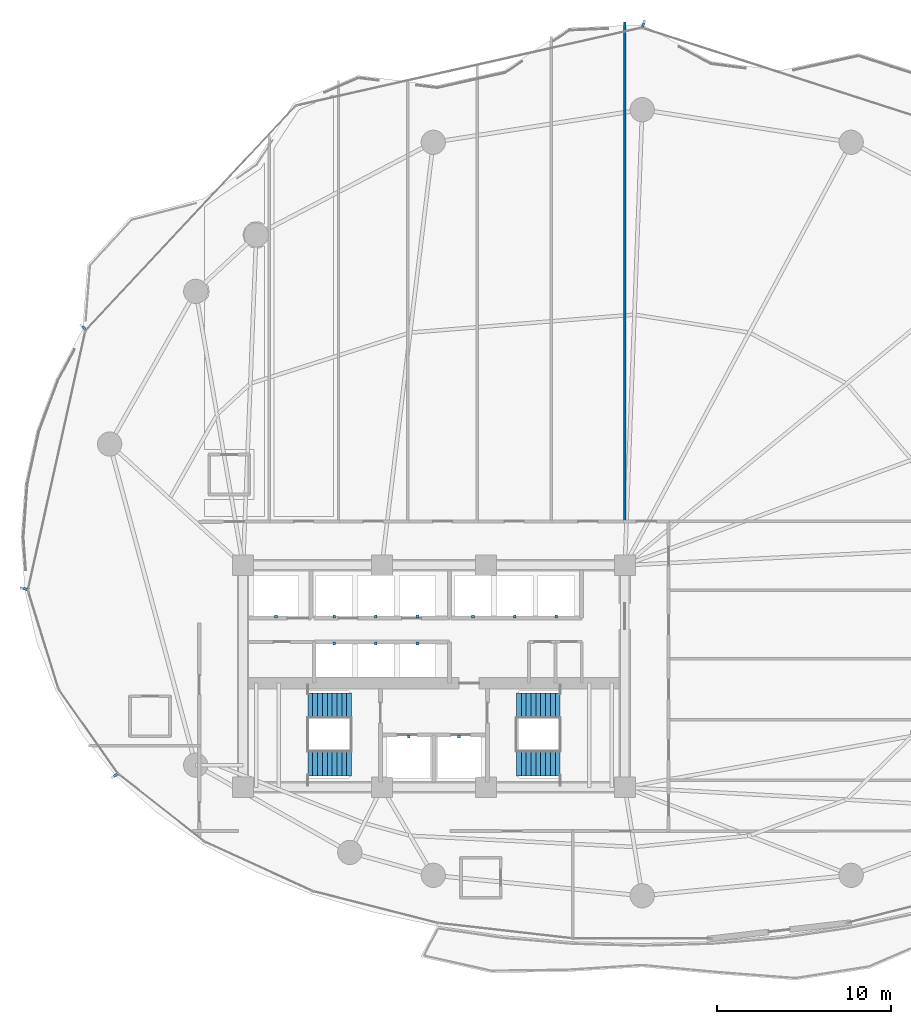
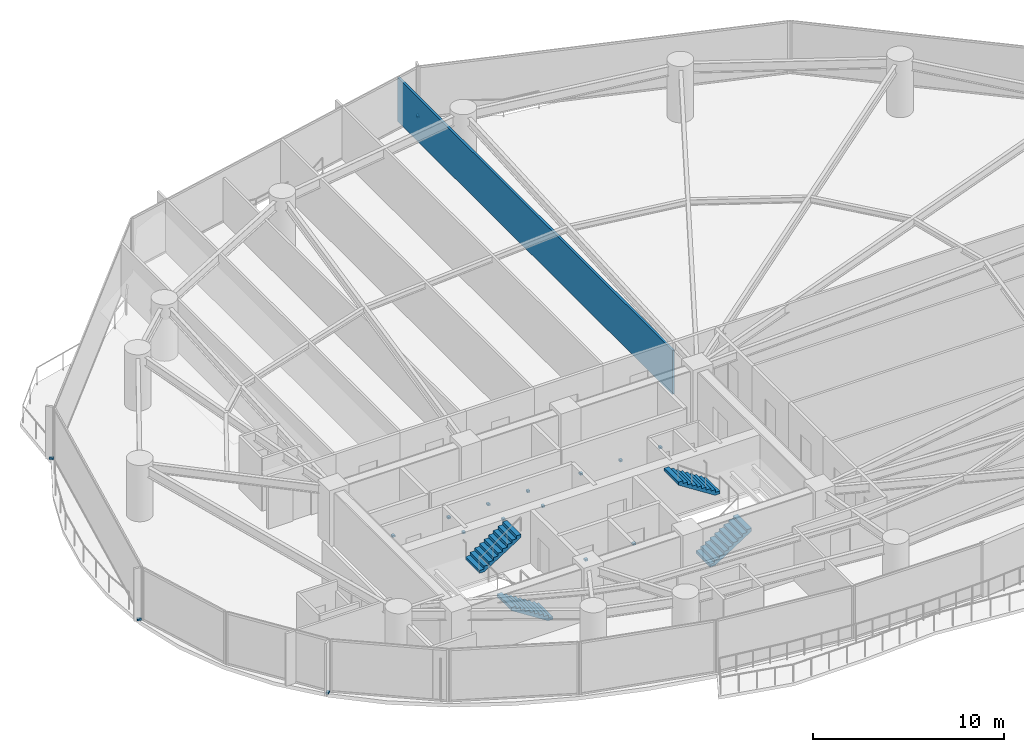
# One storey, part 28 of 33: 16 discrete accessories, 4 stair flights, 1 wall, 2 elements without a shape of their own.
"""IFC4 building model written with IfcOpenShell, lengths in metres."""

from ifc_helpers import new_model, si_unit, direction, frame, frame_2d, origin, origin_2d, place, context, subcontext, project, spatial, polyline, rectangle, outline, extrude, material, layer, layer_set, type_object, element, aggregate, save


model = new_model("IFC4")

# Units and contexts
model_context = context("Model", 3, precision=1e-05, world=origin(), true_north=direction((0.0, 1.0)))
body_context = subcontext(model_context, "Body", "Model", "MODEL_VIEW")
ifc_project = project(units=[si_unit("LENGTHUNIT", "METRE"), si_unit("AREAUNIT", "SQUARE_METRE"), si_unit("VOLUMEUNIT", "CUBIC_METRE"), si_unit("PLANEANGLEUNIT", "RADIAN"), si_unit("MASSUNIT", "GRAM", prefix="KILO")], contexts=[model_context])

# Site, building, storey
site_placement = place(None, origin())
site = spatial("IfcSite", under=ifc_project, at=site_placement, CompositionType="ELEMENT")
building_placement = place(site_placement, origin())
building = spatial("IfcBuilding", under=site, at=building_placement, Name="Kazevale Care Tower and Concert Hall", CompositionType="ELEMENT")
storey_placement = place(building_placement, frame((0.0, 0.0, 27.60009765625)))
storey = spatial("IfcBuildingStorey", under=building, at=storey_placement, Name="L06", CompositionType="ELEMENT", Elevation=27.60009765625)

# Wall
ifc_material_1 = material(Name="Acoustic Gypsum on Steel Stud", Category="steel")
ifc_layer_1 = layer(ifc_material_1, 0.139892578125)
ifc_layer_set_1 = layer_set([ifc_layer_1], Name="Acoustic Gypsum on Steel Stud")
wall_type = type_object("IfcWallType", Name="Acoustic Care & Suite Partition 140", PredefinedType="PARTITIONING", material=ifc_layer_set_1)
wall_placement = place(storey_placement, frame((44.0, 67.7060546875, 0.0), z_axis=(0.0, 0.0, 1.0), x_axis=(0.0, -1.0, 0.0)))
element("IfcWall", 1, at=wall_placement, inside=storey, type_object=wall_type, Name="wall:L06:auto_023", PredefinedType="PARTITIONING", context=body_context, shape_type="SweptSolid", body=[
    extrude(rectangle(XDim=28.81103515625, YDim=0.139892578125, at=frame_2d((14.405517578125, 0.0))), origin(), (0.0, 0.0, 1.0), 2.805908203125),
])

# Stair, stair flights
ifc_material_2 = material(Name="Concrete C40", Category="concrete")
stair_type = type_object("IfcStairType", Name="Exit Stair Assembly ST1-Z1", PredefinedType="HALF_TURN_STAIR", material=ifc_material_2)
stair_1_placement = place(storey_placement, origin())
stair_1 = element("IfcStair", 2, at=stair_1_placement, inside=storey, type_object=stair_type, Name="stair:L06:ST1", PredefinedType="HALF_TURN_STAIR")
ifc_layer_2 = layer(ifc_material_2, 0.159912109375)
ifc_layer_set_2 = layer_set([ifc_layer_2], Name="Concrete C40")
stair_flight_type = type_object("IfcStairFlightType", Name="Exit Stair Flight ST1-Z1", PredefinedType="STRAIGHT", material=ifc_layer_set_2)
stair_flight_1_placement = place(storey_placement, frame((28.25, 24.989990234375, 0.0), z_axis=(0.0, 0.0, 1.0), x_axis=(-1.0, 0.0, 0.0)))
stair_flight_1 = element("IfcStairFlight", 3, at=stair_flight_1_placement, type_object=stair_flight_type, Name="ST1-Z1 flight 1", NumberOfRisers=10, NumberOfTreads=9, PredefinedType="STRAIGHT", RiserHeight=0.18, TreadLength=0.28, context=body_context, shape_type="SweptSolid", body=[
    extrude(outline(polyline([(0.0, 0.0), (0.0, 0.179931640625), (0.280029296875, 0.179931640625), (0.280029296875, 0.360107421875), (0.56005859375, 0.360107421875), (0.56005859375, 0.5400390625), (0.840087890625, 0.5400390625), (0.840087890625, 0.719970703125), (1.1201171875, 0.719970703125), (1.1201171875, 0.89990234375), (1.39990234375, 0.89990234375), (1.39990234375, 1.080078125), (1.679931640625, 1.080078125), (1.679931640625, 1.260009765625), (1.9599609375, 1.260009765625), (1.9599609375, 1.43994140625), (2.239990234375, 1.43994140625), (2.239990234375, 1.6201171875), (2.52001953125, 1.6201171875), (2.52001953125, 1.800048828125), (2.52001953125, 1.429931640625), (0.295654296875, 0.0), (0.0, 0.0)])), frame((0.0, 0.739990234375, 0.0), z_axis=(0.0, -1.0, 0.0), x_axis=(1.0, 0.0, 0.0)), (0.0, 0.0, 1.0), 1.47998046875),
])
stair_flight_2_placement = place(storey_placement, frame((25.72998046875, 28.31005859375, 1.7998046875), z_axis=(0.0, 0.0, 1.0), x_axis=(1.0, 0.0, 0.0)))
stair_flight_2 = element("IfcStairFlight", 4, at=stair_flight_2_placement, type_object=stair_flight_type, Name="ST1-Z1 flight 2", NumberOfRisers=10, NumberOfTreads=9, PredefinedType="STRAIGHT", RiserHeight=0.18, TreadLength=0.28, context=body_context, shape_type="SweptSolid", body=[
    extrude(outline(polyline([(0.0, 0.0), (0.0, 0.179931640625), (0.280029296875, 0.179931640625), (0.280029296875, 0.360107421875), (0.56005859375, 0.360107421875), (0.56005859375, 0.5400390625), (0.840087890625, 0.5400390625), (0.840087890625, 0.719970703125), (1.1201171875, 0.719970703125), (1.1201171875, 0.89990234375), (1.39990234375, 0.89990234375), (1.39990234375, 1.080078125), (1.679931640625, 1.080078125), (1.679931640625, 1.260009765625), (1.9599609375, 1.260009765625), (1.9599609375, 1.43994140625), (2.239990234375, 1.43994140625), (2.239990234375, 1.6201171875), (2.52001953125, 1.6201171875), (2.52001953125, 1.800048828125), (2.52001953125, 1.429931640625), (0.295654296875, 0.0), (0.0, 0.0)])), frame((0.0, 0.739990234375, 0.0), z_axis=(0.0, -1.0, 0.0), x_axis=(1.0, 0.0, 0.0)), (0.0, 0.0, 1.0), 1.47998046875),
])
aggregate(stair_1, [stair_flight_1, stair_flight_2])

stair_2_placement = place(storey_placement, origin())
stair_2 = element("IfcStair", 5, at=stair_2_placement, inside=storey, type_object=stair_type, Name="stair:L06:ST2", PredefinedType="HALF_TURN_STAIR")
stair_flight_3_placement = place(storey_placement, frame((37.75, 24.989990234375, 0.0), z_axis=(0.0, 0.0, 1.0), x_axis=(1.0, 0.0, 0.0)))
stair_flight_3 = element("IfcStairFlight", 6, at=stair_flight_3_placement, type_object=stair_flight_type, Name="ST1-Z1 flight 1", NumberOfRisers=10, NumberOfTreads=9, PredefinedType="STRAIGHT", RiserHeight=0.18, TreadLength=0.28, context=body_context, shape_type="SweptSolid", body=[
    extrude(outline(polyline([(0.0, 0.0), (0.0, 0.179931640625), (0.280029296875, 0.179931640625), (0.280029296875, 0.360107421875), (0.56005859375, 0.360107421875), (0.56005859375, 0.5400390625), (0.840087890625, 0.5400390625), (0.840087890625, 0.719970703125), (1.1201171875, 0.719970703125), (1.1201171875, 0.89990234375), (1.39990234375, 0.89990234375), (1.39990234375, 1.080078125), (1.679931640625, 1.080078125), (1.679931640625, 1.260009765625), (1.9599609375, 1.260009765625), (1.9599609375, 1.43994140625), (2.239990234375, 1.43994140625), (2.239990234375, 1.6201171875), (2.52001953125, 1.6201171875), (2.52001953125, 1.800048828125), (2.52001953125, 1.429931640625), (0.295654296875, 0.0), (0.0, 0.0)])), frame((0.0, 0.739990234375, 0.0), z_axis=(0.0, -1.0, 0.0), x_axis=(1.0, 0.0, 0.0)), (0.0, 0.0, 1.0), 1.47998046875),
])
stair_flight_4_placement = place(storey_placement, frame((40.27001953125, 28.31005859375, 1.7998046875), z_axis=(0.0, 0.0, 1.0), x_axis=(-1.0, 0.0, 0.0)))
stair_flight_4 = element("IfcStairFlight", 7, at=stair_flight_4_placement, type_object=stair_flight_type, Name="ST1-Z1 flight 2", NumberOfRisers=10, NumberOfTreads=9, PredefinedType="STRAIGHT", RiserHeight=0.18, TreadLength=0.28, context=body_context, shape_type="SweptSolid", body=[
    extrude(outline(polyline([(0.0, 0.0), (0.0, 0.179931640625), (0.280029296875, 0.179931640625), (0.280029296875, 0.360107421875), (0.56005859375, 0.360107421875), (0.56005859375, 0.5400390625), (0.840087890625, 0.5400390625), (0.840087890625, 0.719970703125), (1.1201171875, 0.719970703125), (1.1201171875, 0.89990234375), (1.39990234375, 0.89990234375), (1.39990234375, 1.080078125), (1.679931640625, 1.080078125), (1.679931640625, 1.260009765625), (1.9599609375, 1.260009765625), (1.9599609375, 1.43994140625), (2.239990234375, 1.43994140625), (2.239990234375, 1.6201171875), (2.52001953125, 1.6201171875), (2.52001953125, 1.800048828125), (2.52001953125, 1.429931640625), (0.295654296875, 0.0), (0.0, 0.0)])), frame((0.0, 0.739990234375, 0.0), z_axis=(0.0, -1.0, 0.0), x_axis=(1.0, 0.0, 0.0)), (0.0, 0.0, 1.0), 1.47998046875),
])
aggregate(stair_2, [stair_flight_3, stair_flight_4])

# Discrete accessories
ifc_material_3 = material(Name="Stainless Steel 316", Category="steel")
discrete_accessory_type_1 = type_object("IfcDiscreteAccessoryType", Name="Facade Fin Stainless Anchor Bracket BRK-1", PredefinedType="BRACKET", material=ifc_material_3)
for number, where, z_axis, x_axis, name in (
    (8, (14.656005859375, 24.298828125, -0.000244140625), (0.0, 0.0, 1.0), (-0.817547124842, -0.575861700985, 0.0), "cw:L06:f11:brk"),
    (9, (9.44677734375, 35.03369140625, -0.000244140625), (0.0, 0.0, 1.0), (-0.97629600712, 0.216439613938, 0.0), "cw:L06:f13:brk"),
    (10, (12.8251953125, 50.068359375, -0.000244140625), (0.0, 0.0, 1.0), (-0.730400739673, 0.683018857343, 0.0), "cw:L06:f14:brk"),
    (11, (45.04931640625, 67.517333984375, -0.000244140625), (0.0, 0.0, 1.0), (0.30785482931, 0.951433341896, 0.0), "cw:L06:f16:brk"),
):
    element("IfcDiscreteAccessory", number, at=place(storey_placement, frame(where, z_axis=z_axis, x_axis=x_axis)), inside=storey, type_object=discrete_accessory_type_1, Name=name, PredefinedType="BRACKET", context=body_context, shape_type="SweptSolid", body=[
        extrude(rectangle(XDim=0.239990234375, YDim=0.139892578125, at=origin_2d()), origin(), (0.0, 0.0, 1.0), 0.1201171875),
    ])
discrete_accessory_type_2 = type_object("IfcDiscreteAccessoryType", Name="Hoistway Guide-Rail Wall Bracket HBRK-1", PredefinedType="BRACKET", material=ifc_material_3)
for number, where, z_axis, x_axis, name in (
    (12, (31.550048828125, 26.52001953125, 1.23974609375), (0.0, 0.0, 1.0), (1.0, 0.0, 0.0), "hbrk:FFL-1:L06"),
    (13, (34.449951171875, 26.52001953125, 1.23974609375), (0.0, 0.0, 1.0), (1.0, 0.0, 0.0), "hbrk:FFL-2:L06"),
    (14, (23.89990234375, 33.449951171875, 1.23974609375), (0.0, 0.0, 1.0), (1.0, 0.0, 0.0), "hbrk:SVL-1:L06"),
    (15, (27.25, 33.449951171875, 1.23974609375), (0.0, 0.0, 1.0), (1.0, 0.0, 0.0), "hbrk:PL-1:L06"),
    (16, (29.64990234375, 33.449951171875, 1.23974609375), (0.0, 0.0, 1.0), (1.0, 0.0, 0.0), "hbrk:PL-2:L06"),
    (17, (32.050048828125, 33.449951171875, 1.23974609375), (0.0, 0.0, 1.0), (1.0, 0.0, 0.0), "hbrk:PL-3:L06"),
    (18, (35.25, 33.449951171875, 1.23974609375), (0.0, 0.0, 1.0), (1.0, 0.0, 0.0), "hbrk:PM-1:L06"),
    (19, (37.64990234375, 33.449951171875, 1.23974609375), (0.0, 0.0, 1.0), (1.0, 0.0, 0.0), "hbrk:PM-2:L06"),
    (20, (40.050048828125, 33.449951171875, 1.23974609375), (0.0, 0.0, 1.0), (1.0, 0.0, 0.0), "hbrk:PM-3:L06"),
    (21, (27.25, 31.8798828125, 1.23974609375), (0.0, 0.0, 1.0), (1.0, 0.0, 0.0), "hbrk:PH-1:L06"),
    (22, (29.64990234375, 31.8798828125, 1.23974609375), (0.0, 0.0, 1.0), (1.0, 0.0, 0.0), "hbrk:PH-2:L06"),
    (23, (32.050048828125, 31.8798828125, 1.23974609375), (0.0, 0.0, 1.0), (1.0, 0.0, 0.0), "hbrk:PH-3:L06"),
):
    element("IfcDiscreteAccessory", number, at=place(storey_placement, frame(where, z_axis=z_axis, x_axis=x_axis)), inside=storey, type_object=discrete_accessory_type_2, Name=name, PredefinedType="BRACKET", context=body_context, shape_type="SweptSolid", body=[
        extrude(rectangle(XDim=0.159912109375, YDim=0.179931640625, at=origin_2d()), origin(), (0.0, 0.0, 1.0), 0.1201171875),
    ])

save(model, "model.ifc")
